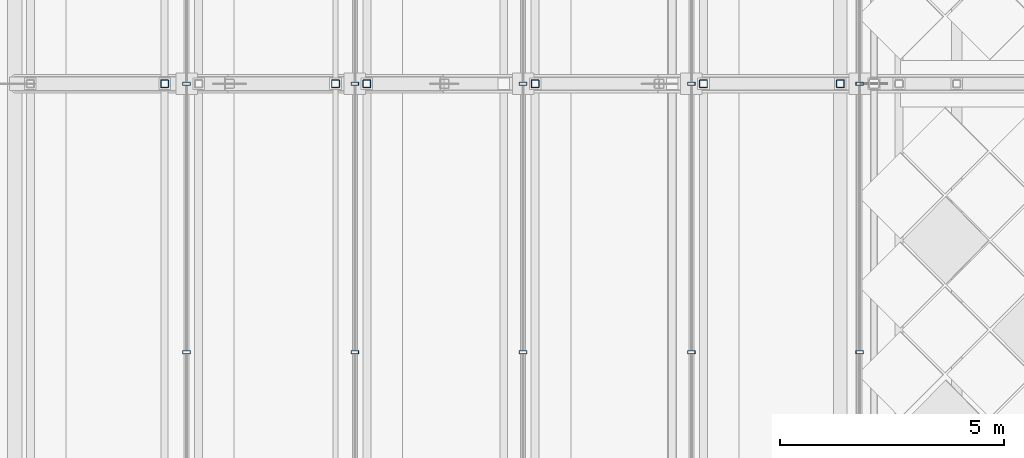
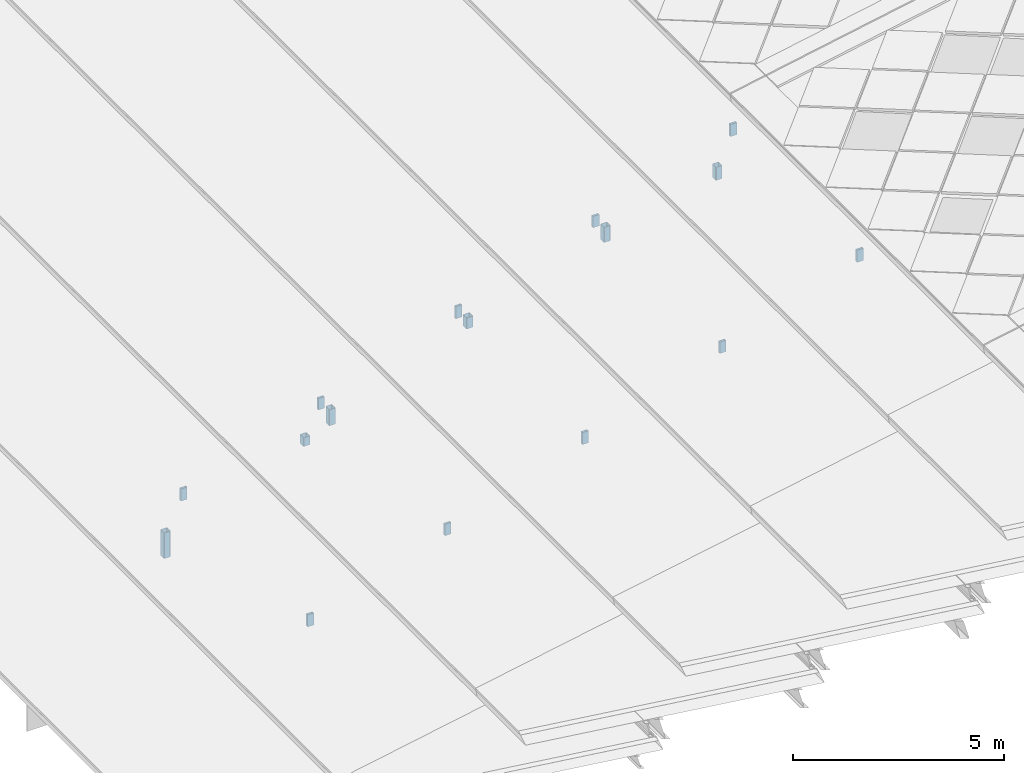
# One storey, part 65 of 117: 16 members, 5 elements without a shape of their own.
"""IFC4 building model written with IfcOpenShell, lengths in metres."""

from ifc_helpers import new_model, si_unit, direction, frame, origin, origin_2d, place, context, subcontext, project, spatial, hollow_rectangle, extrude, material, material_profile, profile_set, type_object, element, aggregate, save


model = new_model("IFC4")

# Units and contexts
model_context = context("Model", 3, precision=1e-05, world=origin(), true_north=direction((0.0, 1.0)))
body_context = subcontext(model_context, "Body", "Model", "MODEL_VIEW")
ifc_project = project(units=[si_unit("LENGTHUNIT", "METRE"), si_unit("AREAUNIT", "SQUARE_METRE"), si_unit("VOLUMEUNIT", "CUBIC_METRE"), si_unit("PLANEANGLEUNIT", "RADIAN"), si_unit("MASSUNIT", "GRAM", prefix="KILO")], contexts=[model_context])

# Site, building, storey
site_placement = place(None, origin())
site = spatial("IfcSite", under=ifc_project, at=site_placement, CompositionType="ELEMENT")
building_placement = place(site_placement, origin())
building = spatial("IfcBuilding", under=site, at=building_placement, Name="Merenkruunu Market Hall", CompositionType="ELEMENT")
storey_placement = place(building_placement, frame((0.0, 0.0, 22.800048828125)))
storey = spatial("IfcBuildingStorey", under=building, at=storey_placement, Name="RF", CompositionType="ELEMENT", Elevation=22.800048828125)

# Curtain wall, members
ifc_material_1 = material(Name="Powder-coated aluminium", Category="aluminium")
curtain_wall_type = type_object("IfcCurtainWallType", Name="Clerestory Curtain Band CL05", PredefinedType="USERDEFINED", material=ifc_material_1)
curtain_wall_1_placement = place(storey_placement, origin())
curtain_wall_1 = element("IfcCurtainWall", 1, at=curtain_wall_1_placement, inside=storey, type_object=curtain_wall_type, Name="CW-RF-CWM04-085", ObjectType="CLERESTORY_BAND", PredefinedType="USERDEFINED")
ifc_material_profile_1 = material_profile(ifc_material_1, hollow_rectangle(XDim=0.070068359375, YDim=0.169921875, WallThickness=0.0048828125, at=origin_2d()), Name="ALU 70x170x5")
ifc_profile_set_1 = profile_set([ifc_material_profile_1], Name="Powder-coated aluminium")
member_type_1 = type_object("IfcMemberType", Name="Curtain Wall Mullion CWM04", PredefinedType="MULLION", material=ifc_profile_set_1)
member_1_placement = place(storey_placement, frame((3.840087890625, 69.60009765625, -6.52197265625), z_axis=(0.0, 0.0, 1.0), x_axis=(0.0, 1.0, 0.0)))
member_1 = element("IfcMember", 2, at=member_1_placement, type_object=member_type_1, Name="CL05 mullion 2", PredefinedType="MULLION", context=body_context, shape_type="SweptSolid", body=[
    extrude(hollow_rectangle(XDim=0.070068359375, YDim=0.169921875, WallThickness=0.0048828125, at=origin_2d()), origin(), (0.0, 0.0, 1.0), 0.347900390625),
])
member_2_placement = place(storey_placement, frame((3.840087890625, 75.60009765625, -6.52197265625), z_axis=(0.0, 0.0, 1.0), x_axis=(0.0, 1.0, 0.0)))
member_2 = element("IfcMember", 3, at=member_2_placement, type_object=member_type_1, Name="CL05 mullion 3", PredefinedType="MULLION", context=body_context, shape_type="SweptSolid", body=[
    extrude(hollow_rectangle(XDim=0.070068359375, YDim=0.169921875, WallThickness=0.0048828125, at=origin_2d()), origin(), (0.0, 0.0, 1.0), 0.347900390625),
])
aggregate(curtain_wall_1, [member_1, member_2])

curtain_wall_2_placement = place(storey_placement, origin())
curtain_wall_2 = element("IfcCurtainWall", 4, at=curtain_wall_2_placement, inside=storey, type_object=curtain_wall_type, Name="CW-RF-CWM04-093", ObjectType="CLERESTORY_BAND", PredefinedType="USERDEFINED")
member_3_placement = place(storey_placement, frame((7.60009765625, 69.60009765625, -5.2021484375), z_axis=(0.0, 0.0, 1.0), x_axis=(0.0, 1.0, 0.0)))
member_3 = element("IfcMember", 5, at=member_3_placement, type_object=member_type_1, Name="CL05 mullion 2", PredefinedType="MULLION", context=body_context, shape_type="SweptSolid", body=[
    extrude(hollow_rectangle(XDim=0.070068359375, YDim=0.169921875, WallThickness=0.0048828125, at=origin_2d()), origin(), (0.0, 0.0, 1.0), 0.3271484375),
])
member_4_placement = place(storey_placement, frame((7.60009765625, 75.60009765625, -5.2021484375), z_axis=(0.0, 0.0, 1.0), x_axis=(0.0, 1.0, 0.0)))
member_4 = element("IfcMember", 6, at=member_4_placement, type_object=member_type_1, Name="CL05 mullion 3", PredefinedType="MULLION", context=body_context, shape_type="SweptSolid", body=[
    extrude(hollow_rectangle(XDim=0.070068359375, YDim=0.169921875, WallThickness=0.0048828125, at=origin_2d()), origin(), (0.0, 0.0, 1.0), 0.3271484375),
])
aggregate(curtain_wall_2, [member_3, member_4])

curtain_wall_3_placement = place(storey_placement, origin())
curtain_wall_3 = element("IfcCurtainWall", 7, at=curtain_wall_3_placement, inside=storey, type_object=curtain_wall_type, Name="CW-RF-CWM04-101", ObjectType="CLERESTORY_BAND", PredefinedType="USERDEFINED")
member_5_placement = place(storey_placement, frame((11.360107421875, 69.60009765625, -3.882080078125), z_axis=(0.0, 0.0, 1.0), x_axis=(0.0, 1.0, 0.0)))
member_5 = element("IfcMember", 8, at=member_5_placement, type_object=member_type_1, Name="CL05 mullion 2", PredefinedType="MULLION", context=body_context, shape_type="SweptSolid", body=[
    extrude(hollow_rectangle(XDim=0.070068359375, YDim=0.169921875, WallThickness=0.0048828125, at=origin_2d()), origin(), (0.0, 0.0, 1.0), 0.34814453125),
])
member_6_placement = place(storey_placement, frame((11.360107421875, 75.60009765625, -3.882080078125), z_axis=(0.0, 0.0, 1.0), x_axis=(0.0, 1.0, 0.0)))
member_6 = element("IfcMember", 9, at=member_6_placement, type_object=member_type_1, Name="CL05 mullion 3", PredefinedType="MULLION", context=body_context, shape_type="SweptSolid", body=[
    extrude(hollow_rectangle(XDim=0.070068359375, YDim=0.169921875, WallThickness=0.0048828125, at=origin_2d()), origin(), (0.0, 0.0, 1.0), 0.34814453125),
])
aggregate(curtain_wall_3, [member_5, member_6])

curtain_wall_4_placement = place(storey_placement, origin())
curtain_wall_4 = element("IfcCurtainWall", 10, at=curtain_wall_4_placement, inside=storey, type_object=curtain_wall_type, Name="CW-RF-CWM04-109", ObjectType="CLERESTORY_BAND", PredefinedType="USERDEFINED")
member_7_placement = place(storey_placement, frame((15.1201171875, 69.60009765625, -2.56201171875), z_axis=(0.0, 0.0, 1.0), x_axis=(0.0, 1.0, 0.0)))
member_7 = element("IfcMember", 11, at=member_7_placement, type_object=member_type_1, Name="CL05 mullion 2", PredefinedType="MULLION", context=body_context, shape_type="SweptSolid", body=[
    extrude(hollow_rectangle(XDim=0.070068359375, YDim=0.169921875, WallThickness=0.0048828125, at=origin_2d()), origin(), (0.0, 0.0, 1.0), 0.326904296875),
])
member_8_placement = place(storey_placement, frame((15.1201171875, 75.60009765625, -2.56201171875), z_axis=(0.0, 0.0, 1.0), x_axis=(0.0, 1.0, 0.0)))
member_8 = element("IfcMember", 12, at=member_8_placement, type_object=member_type_1, Name="CL05 mullion 3", PredefinedType="MULLION", context=body_context, shape_type="SweptSolid", body=[
    extrude(hollow_rectangle(XDim=0.070068359375, YDim=0.169921875, WallThickness=0.0048828125, at=origin_2d()), origin(), (0.0, 0.0, 1.0), 0.326904296875),
])
aggregate(curtain_wall_4, [member_7, member_8])

curtain_wall_5_placement = place(storey_placement, origin())
curtain_wall_5 = element("IfcCurtainWall", 13, at=curtain_wall_5_placement, inside=storey, type_object=curtain_wall_type, Name="CW-RF-CWM04-117", ObjectType="CLERESTORY_BAND", PredefinedType="USERDEFINED")
member_9_placement = place(storey_placement, frame((18.8798828125, 69.60009765625, -1.241943359375), z_axis=(0.0, 0.0, 1.0), x_axis=(0.0, 1.0, 0.0)))
member_9 = element("IfcMember", 14, at=member_9_placement, type_object=member_type_1, Name="CL05 mullion 2", PredefinedType="MULLION", context=body_context, shape_type="SweptSolid", body=[
    extrude(hollow_rectangle(XDim=0.070068359375, YDim=0.169921875, WallThickness=0.0048828125, at=origin_2d()), origin(), (0.0, 0.0, 1.0), 0.347900390625),
])
member_10_placement = place(storey_placement, frame((18.8798828125, 75.60009765625, -1.241943359375), z_axis=(0.0, 0.0, 1.0), x_axis=(0.0, 1.0, 0.0)))
member_10 = element("IfcMember", 15, at=member_10_placement, type_object=member_type_1, Name="CL05 mullion 3", PredefinedType="MULLION", context=body_context, shape_type="SweptSolid", body=[
    extrude(hollow_rectangle(XDim=0.070068359375, YDim=0.169921875, WallThickness=0.0048828125, at=origin_2d()), origin(), (0.0, 0.0, 1.0), 0.347900390625),
])
aggregate(curtain_wall_5, [member_9, member_10])

# Members
ifc_material_2 = material(Name="Steel S355J2", Category="steel")
ifc_material_profile_2 = material_profile(ifc_material_2, hollow_rectangle(XDim=0.179931640625, YDim=0.179931640625, WallThickness=0.010009765625, InnerFilletRadius=0.010009765625, OuterFilletRadius=0.02001953125, at=origin_2d()), Name="SHS 180x180x10")
ifc_profile_set_2 = profile_set([ifc_material_profile_2], Name="Steel S355J2")
member_type_2 = type_object("IfcMemberType", Name="Diagonal Sway Brace BR05", PredefinedType="BRACE", material=ifc_profile_set_2)
member_11_placement = place(storey_placement, frame((3.35009765625, 75.60009765625, -7.98095703125), z_axis=(0.0, 0.0, 1.0), x_axis=(1.0, 0.0, 0.0)))
element("IfcMember", 16, at=member_11_placement, inside=storey, type_object=member_type_2, Name="TRUSS-AT-6-RISER-W1-2", PredefinedType="BRACE", context=body_context, shape_type="SweptSolid", body=[
    extrude(hollow_rectangle(XDim=0.179931640625, YDim=0.179931640625, WallThickness=0.010009765625, InnerFilletRadius=0.010009765625, OuterFilletRadius=0.02001953125, at=origin_2d()), origin(), (0.0, 0.0, 1.0), 0.741455078125),
])
member_12_placement = place(storey_placement, frame((7.169921875, 75.60009765625, -6.075439453125), z_axis=(0.0, 0.0, 1.0), x_axis=(1.0, 0.0, 0.0)))
element("IfcMember", 17, at=member_12_placement, inside=storey, type_object=member_type_2, Name="TRUSS-AT-6-RISER-W2-2", PredefinedType="BRACE", context=body_context, shape_type="SweptSolid", body=[
    extrude(hollow_rectangle(XDim=0.179931640625, YDim=0.179931640625, WallThickness=0.010009765625, InnerFilletRadius=0.010009765625, OuterFilletRadius=0.02001953125, at=origin_2d()), origin(), (0.0, 0.0, 1.0), 0.25),
])
member_13_placement = place(storey_placement, frame((7.8701171875, 75.60009765625, -5.720947265625), z_axis=(0.0, 0.0, 1.0), x_axis=(1.0, 0.0, 0.0)))
element("IfcMember", 18, at=member_13_placement, inside=storey, type_object=member_type_2, Name="TRUSS-AT-6-RISER-W3-1", PredefinedType="BRACE", context=body_context, shape_type="SweptSolid", body=[
    extrude(hollow_rectangle(XDim=0.179931640625, YDim=0.179931640625, WallThickness=0.010009765625, InnerFilletRadius=0.010009765625, OuterFilletRadius=0.02001953125, at=origin_2d()), origin(), (0.0, 0.0, 1.0), 0.462646484375),
])
member_14_placement = place(storey_placement, frame((11.6298828125, 75.60009765625, -4.23583984375), z_axis=(0.0, 0.0, 1.0), x_axis=(1.0, 0.0, 0.0)))
element("IfcMember", 19, at=member_14_placement, inside=storey, type_object=member_type_2, Name="TRUSS-AT-6-RISER-W4-1", PredefinedType="BRACE", context=body_context, shape_type="SweptSolid", body=[
    extrude(hollow_rectangle(XDim=0.179931640625, YDim=0.179931640625, WallThickness=0.010009765625, InnerFilletRadius=0.010009765625, OuterFilletRadius=0.02001953125, at=origin_2d()), origin(), (0.0, 0.0, 1.0), 0.31787109375),
])
member_15_placement = place(storey_placement, frame((15.389892578125, 75.60009765625, -3.053955078125), z_axis=(0.0, 0.0, 1.0), x_axis=(1.0, 0.0, 0.0)))
element("IfcMember", 20, at=member_15_placement, inside=storey, type_object=member_type_2, Name="TRUSS-AT-6-RISER-W5-1", PredefinedType="BRACE", context=body_context, shape_type="SweptSolid", body=[
    extrude(hollow_rectangle(XDim=0.179931640625, YDim=0.179931640625, WallThickness=0.010009765625, InnerFilletRadius=0.010009765625, OuterFilletRadius=0.02001953125, at=origin_2d()), origin(), (0.0, 0.0, 1.0), 0.435546875),
])
member_16_placement = place(storey_placement, frame((18.449951171875, 75.60009765625, -2.326904296875), z_axis=(0.0, 0.0, 1.0), x_axis=(1.0, 0.0, 0.0)))
element("IfcMember", 21, at=member_16_placement, inside=storey, type_object=member_type_2, Name="TRUSS-AT-6-RISER-W5-2", PredefinedType="BRACE", context=body_context, shape_type="SweptSolid", body=[
    extrude(hollow_rectangle(XDim=0.179931640625, YDim=0.179931640625, WallThickness=0.010009765625, InnerFilletRadius=0.010009765625, OuterFilletRadius=0.02001953125, at=origin_2d()), origin(), (0.0, 0.0, 1.0), 0.37451171875),
])

save(model, "model.ifc")
